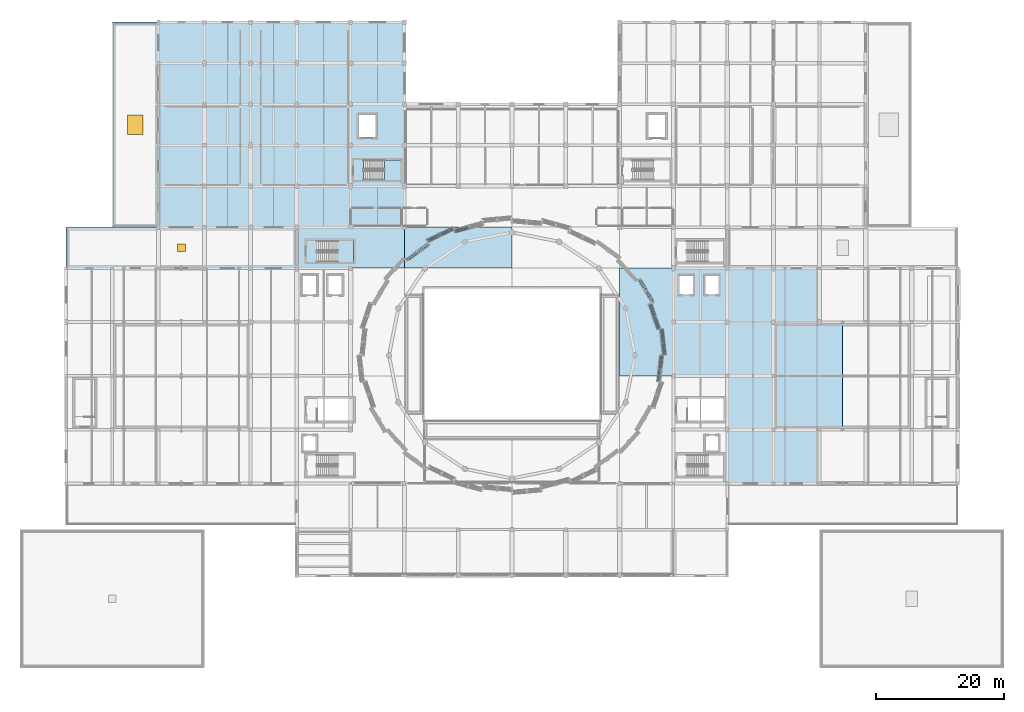
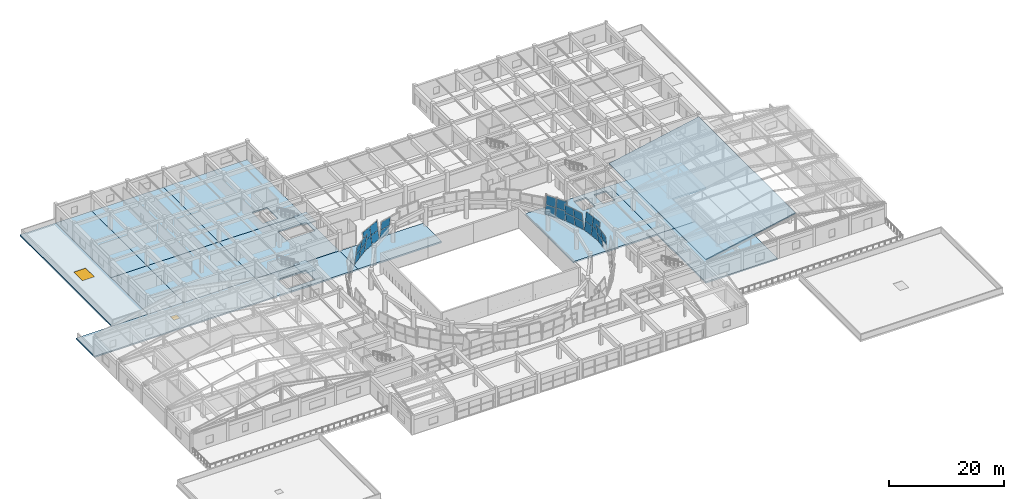
# One storey, part 51 of 74: 25 plates, 16 slabs, 2 windows, 2 openings, 9 elements without a shape of their own.
"""IFC4 building model written with IfcOpenShell, lengths in metres."""

from ifc_helpers import new_model, si_unit, direction, frame, origin, origin_2d, place, context, subcontext, project, spatial, polyline, rectangle, outline, extrude, material, layer, layer_set, type_object, element, fill, aggregate, save


model = new_model("IFC4")

# Units and contexts
model_context = context("Model", 3, precision=1e-05, world=origin(), true_north=direction((0.0, 1.0)))
body_context = subcontext(model_context, "Body", "Model", "MODEL_VIEW")
ifc_project = project(units=[si_unit("LENGTHUNIT", "METRE"), si_unit("AREAUNIT", "SQUARE_METRE"), si_unit("VOLUMEUNIT", "CUBIC_METRE"), si_unit("PLANEANGLEUNIT", "RADIAN"), si_unit("MASSUNIT", "GRAM", prefix="KILO")], contexts=[model_context])

# Site, building, storey
site_placement = place(None, origin())
site = spatial("IfcSite", under=ifc_project, at=site_placement, CompositionType="ELEMENT")
building_placement = place(site_placement, origin())
building = spatial("IfcBuilding", under=site, at=building_placement, Name="Korsvaeld Concert Hall", CompositionType="ELEMENT")
storey_placement = place(building_placement, frame((0.0, 0.0, 9.0)))
storey = spatial("IfcBuildingStorey", under=building, at=storey_placement, Name="L02", CompositionType="ELEMENT", Elevation=9.0)

# Curtain wall, plates
ifc_material_1 = material(Name="Anodised bronze and ceramic-fritted safety glass", Category="glass")
curtain_wall_type_1 = type_object("IfcCurtainWallType", Name="CW-TYPE-01", PredefinedType="USERDEFINED", material=ifc_material_1)
curtain_wall_1_placement = place(storey_placement, origin())
curtain_wall_1 = element("IfcCurtainWall", 1, at=curtain_wall_1_placement, inside=storey, type_object=curtain_wall_type_1, Name="Crystal curtain-wall facet L02 F01", ObjectType="CURTAIN WALL", PredefinedType="USERDEFINED")
ifc_material_2 = material(Name="Translucent ceramic-fritted crystal safety glass", Category="glass")
ifc_layer_1 = layer(ifc_material_2, 0.035888671875)
ifc_layer_set_1 = layer_set([ifc_layer_1], Name="Translucent ceramic-fritted crystal safety glass")
plate_type = type_object("IfcPlateType", Name="CWP-CRYSTAL-36", PredefinedType="CURTAIN_PANEL", material=ifc_layer_set_1)
plate_1_placement = place(storey_placement, frame((107.5986328125, 63.275146484375, 0.06005859375), z_axis=(0.98764771844, 0.108355260173, -0.113186226426), x_axis=(-0.10905607732, 0.99403559896, 0.0)))
plate_1 = element("IfcPlate", 2, at=plate_1_placement, type_object=plate_type, Name="CW-CRYS-L02-F01 ceramic-fritted crystal panel 1.1", PredefinedType="CURTAIN_PANEL", context=body_context, shape_type="SweptSolid", body=[
    extrude(outline(polyline([(0.0, 0.0), (1.9677913844802313, 0.0), (1.9633378881486825, 1.8618179468854357), (-0.004453496331548845, 1.8618179468854357), (0.0, 0.0)])), frame((0.0, 0.0, 0.01806640625)), (0.0, 0.0, -1.0), 0.035888671875),
])
plate_2_placement = place(storey_placement, frame((107.8154296875, 63.29443359375, 1.969970703125), z_axis=(0.98764938802, 0.108355443344, -0.113171481577), x_axis=(-0.10905607732, 0.99403559896, 0.0)))
plate_2 = element("IfcPlate", 3, at=plate_2_placement, type_object=plate_type, Name="CW-CRYS-L02-F01 ceramic-fritted crystal panel 1.2", PredefinedType="CURTAIN_PANEL", context=body_context, shape_type="SweptSolid", body=[
    extrude(outline(polyline([(0.0, 0.0), (1.9677913844802313, -3.469446951953614e-18), (1.9633378881486825, 1.8620605188167947), (-0.004453496331548846, 1.8620605188167947), (0.0, 0.0)])), frame((0.0, 0.0, 0.01806640625)), (0.0, 0.0, -1.0), 0.035888671875),
])
plate_3_placement = place(storey_placement, frame((107.3759765625, 65.305908203125, 0.06005859375), z_axis=(0.98764771844, 0.108355260173, -0.113186226426), x_axis=(-0.10905607732, 0.99403559896, 0.0)))
plate_3 = element("IfcPlate", 4, at=plate_3_placement, type_object=plate_type, Name="CW-CRYS-L02-F01 ceramic-fritted crystal panel 2.1", PredefinedType="CURTAIN_PANEL", context=body_context, shape_type="SweptSolid", body=[
    extrude(outline(polyline([(0.0, 0.0), (1.9677913844802313, 0.0), (1.9633378881486825, 1.8618179468854357), (-0.004453496331548845, 1.8618179468854357), (0.0, 0.0)])), frame((0.0, 0.0, 0.01806640625)), (0.0, 0.0, -1.0), 0.035888671875),
])
plate_4_placement = place(storey_placement, frame((107.5927734375, 65.324951171875, 1.969970703125), z_axis=(0.987650850226, 0.108342081287, -0.113171513509), x_axis=(-0.109042629262, 0.99403707426, 0.0)))
plate_4 = element("IfcPlate", 5, at=plate_4_placement, type_object=plate_type, Name="CW-CRYS-L02-F01 ceramic-fritted crystal panel 2.2", PredefinedType="CURTAIN_PANEL", context=body_context, shape_type="SweptSolid", body=[
    extrude(outline(polyline([(0.0, 0.0), (1.9680340691327352, 3.469446951953614e-18), (1.9635834237417775, 1.8620605256332161), (-0.004450645390957637, 1.8620605256332161), (0.0, 0.0)])), frame((0.0, 0.0, 0.01806640625)), (0.0, 0.0, -1.0), 0.035888671875),
])
aggregate(curtain_wall_1, [plate_1, plate_2, plate_3, plate_4])

curtain_wall_type_2 = type_object("IfcCurtainWallType", Name="CW-TYPE-02", PredefinedType="USERDEFINED", material=ifc_material_1)
curtain_wall_2_placement = place(storey_placement, origin())
curtain_wall_2 = element("IfcCurtainWall", 6, at=curtain_wall_2_placement, inside=storey, type_object=curtain_wall_type_2, Name="Crystal curtain-wall facet L02 F02", ObjectType="CURTAIN WALL", PredefinedType="USERDEFINED")
plate_5_placement = place(storey_placement, frame((107.115966796875, 67.4052734375, 0.06005859375), z_axis=(0.941364517816, 0.317899823544, 0.11301569266), x_axis=(-0.319949676143, 0.947434538497, 0.0)))
plate_5 = element("IfcPlate", 7, at=plate_5_placement, type_object=plate_type, Name="CW-CRYS-L02-F02 ceramic-fritted crystal panel 1.1", PredefinedType="CURTAIN_PANEL", context=body_context, shape_type="SweptSolid", body=[
    extrude(outline(polyline([(0.0, 0.0), (1.9862437572585203, -1.3877787807814457e-17), (1.9988048998337165, 1.8617815720611695), (0.012561142575196048, 1.8617815720611695), (0.0, 0.0)])), frame((0.0, 0.0, 0.01806640625)), (0.0, 0.0, -1.0), 0.035888671875),
])
plate_6_placement = place(storey_placement, frame((106.906005859375, 67.347900390625, 1.969970703125), z_axis=(0.941378575992, 0.317863332898, 0.113001231244), x_axis=(-0.319912420616, 0.947447118912, 0.0)))
plate_6 = element("IfcPlate", 8, at=plate_6_placement, type_object=plate_type, Name="CW-CRYS-L02-F02 ceramic-fritted crystal panel 1.2", PredefinedType="CURTAIN_PANEL", context=body_context, shape_type="SweptSolid", body=[
    extrude(outline(polyline([(0.0, 0.0), (1.9864750660546802, -1.3877787807814457e-17), (1.9990279347998081, 1.862024204527748), (0.012552868745127732, 1.862024204527748), (0.0, 0.0)])), frame((0.0, 0.0, 0.01806640625)), (0.0, 0.0, -1.0), 0.035888671875),
])
plate_7_placement = place(storey_placement, frame((106.45654296875, 69.358154296875, 0.06005859375), z_axis=(0.941364517816, 0.317899823544, 0.11301569266), x_axis=(-0.319949676143, 0.947434538497, 0.0)))
plate_7 = element("IfcPlate", 9, at=plate_7_placement, type_object=plate_type, Name="CW-CRYS-L02-F02 ceramic-fritted crystal panel 2.1", PredefinedType="CURTAIN_PANEL", context=body_context, shape_type="SweptSolid", body=[
    extrude(outline(polyline([(0.0, 0.0), (1.9862437572585203, -1.3877787807814457e-17), (1.9988048998337165, 1.8617815720611695), (0.012561142575196048, 1.8617815720611695), (0.0, 0.0)])), frame((0.0, 0.0, 0.01806640625)), (0.0, 0.0, -1.0), 0.035888671875),
])
plate_8_placement = place(storey_placement, frame((106.24658203125, 69.301025390625, 1.969970703125), z_axis=(0.941366104364, 0.317900359323, 0.113000969451), x_axis=(-0.319949676143, 0.947434538497, 0.0)))
plate_8 = element("IfcPlate", 10, at=plate_8_placement, type_object=plate_type, Name="CW-CRYS-L02-F02 ceramic-fritted crystal panel 2.2", PredefinedType="CURTAIN_PANEL", context=body_context, shape_type="SweptSolid", body=[
    extrude(outline(polyline([(0.0, 0.0), (1.9862437572585203, 0.0), (1.9988048998337165, 1.8620241487311948), (0.012561142575196048, 1.8620241487311948), (0.0, 0.0)])), frame((0.0, 0.0, 0.01806640625)), (0.0, 0.0, -1.0), 0.035888671875),
])
aggregate(curtain_wall_2, [plate_5, plate_6, plate_7, plate_8])

curtain_wall_type_3 = type_object("IfcCurtainWallType", Name="CW-TYPE-03", PredefinedType="USERDEFINED", material=ifc_material_1)
curtain_wall_3_placement = place(storey_placement, origin())
curtain_wall_3 = element("IfcCurtainWall", 11, at=curtain_wall_3_placement, inside=storey, type_object=curtain_wall_type_3, Name="Crystal curtain-wall facet L02 F03", ObjectType="CURTAIN WALL", PredefinedType="USERDEFINED")
plate_9_placement = place(storey_placement, frame((105.771484375, 71.38037109375, 0.06005859375), z_axis=(0.853892161526, 0.508096158557, -0.112722979661), x_axis=(-0.511355642616, 0.859369191182, -3.461232e-06)))
plate_9 = element("IfcPlate", 12, at=plate_9_placement, type_object=plate_type, Name="CW-CRYS-L02-F03 ceramic-fritted crystal panel 1.1", PredefinedType="CURTAIN_PANEL", context=body_context, shape_type="SweptSolid", body=[
    extrude(outline(polyline([(0.0, 0.0), (2.019936687795968, -1.3877787807814457e-17), (2.0012704675309365, 1.8617262405480326), (-0.018876027196472505, 1.8617121671868948), (0.0, 0.0)])), frame((0.0, 0.0, 0.01806640625)), (0.0, 0.0, -1.0), 0.035888671875),
])
plate_10_placement = place(storey_placement, frame((105.967529296875, 71.474609375, 1.969970703125), z_axis=(0.85388274351, 0.508090554503, -0.112819540684), x_axis=(-0.511355643194, 0.859369190838, -3.464158e-06)))
plate_10 = element("IfcPlate", 13, at=plate_10_placement, type_object=plate_type, Name="CW-CRYS-L02-F03 ceramic-fritted crystal panel 1.2", PredefinedType="CURTAIN_PANEL", context=body_context, shape_type="SweptSolid", body=[
    extrude(outline(polyline([(0.0, 0.0), (2.019936687795989, -1.3877787807814457e-17), (2.001145618443532, 1.861992489528423), (-0.019000876283814222, 1.8619784041117295), (0.0, 0.0)])), frame((0.0, 0.0, 0.01806640625)), (0.0, 0.0, -1.0), 0.035888671875),
])
plate_11_placement = place(storey_placement, frame((104.7001953125, 73.1806640625, 0.06005859375), z_axis=(0.853873261787, 0.508120642844, -0.112755776441), x_axis=(-0.511381861684, 0.859353589357, 0.0)))
plate_11 = element("IfcPlate", 14, at=plate_11_placement, type_object=plate_type, Name="CW-CRYS-L02-F03 ceramic-fritted crystal panel 2.1", PredefinedType="CURTAIN_PANEL", context=body_context, shape_type="SweptSolid", body=[
    extrude(outline(polyline([(0.0, 0.0), (2.0199366887482033, -1.3877787807814457e-17), (2.001270466587501, 1.8617262415621827), (-0.018666222160702132, 1.8617262415621827), (0.0, 0.0)])), frame((0.0, 0.0, 0.01806640625)), (0.0, 0.0, -1.0), 0.035888671875),
])
plate_12_placement = place(storey_placement, frame((104.896240234375, 73.27490234375, 1.969970703125), z_axis=(0.853863841898, 0.508115037281, -0.112852330006), x_axis=(-0.511381861684, 0.859353589357, 0.0)))
plate_12 = element("IfcPlate", 15, at=plate_12_placement, type_object=plate_type, Name="CW-CRYS-L02-F03 ceramic-fritted crystal panel 2.2", PredefinedType="CURTAIN_PANEL", context=body_context, shape_type="SweptSolid", body=[
    extrude(outline(polyline([(0.0, 0.0), (2.0199366887482033, -1.3877787807814457e-17), (2.001145617500176, 1.8619924905422793), (-0.01879107124802723, 1.8619924905422793), (0.0, 0.0)])), frame((0.0, 0.0, 0.01806640625)), (0.0, 0.0, -1.0), 0.035888671875),
])
aggregate(curtain_wall_3, [plate_9, plate_10, plate_11, plate_12])

curtain_wall_4_placement = place(storey_placement, origin())
curtain_wall_4 = element("IfcCurtainWall", 16, at=curtain_wall_4_placement, inside=storey, type_object=curtain_wall_type_2, Name="Crystal curtain-wall facet L02 F10", ObjectType="CURTAIN WALL", PredefinedType="USERDEFINED")
plate_13_placement = place(storey_placement, frame((77.148193359375, 83.373046875, 0.06005859375), z_axis=(-0.261163257484, 0.95865482659, 0.113025114009), x_axis=(-0.964837328331, -0.262847731312, 1.651587e-06)))
plate_13 = element("IfcPlate", 17, at=plate_13_placement, type_object=plate_type, Name="CW-CRYS-L02-F10 ceramic-fritted crystal panel 2.1", PredefinedType="CURTAIN_PANEL", context=body_context, shape_type="SweptSolid", body=[
    extrude(outline(polyline([(0.0, 0.0), (2.1817033119443425, -1.3877787807814457e-17), (2.1691854544410942, 1.8617799744460803), (-0.012753413491610325, 1.8617872278587024), (0.0, 0.0)])), frame((0.0, 0.0, 0.01806640625)), (0.0, 0.0, -1.0), 0.035888671875),
])
plate_14_placement = place(storey_placement, frame((77.218017578125, 83.1669921875, 1.969970703125), z_axis=(-0.261267170979, 0.958628162452, 0.113011112386), x_axis=(-0.964809044512, -0.262951530942, -1.651812e-06)))
plate_14 = element("IfcPlate", 18, at=plate_14_placement, type_object=plate_type, Name="CW-CRYS-L02-F10 ceramic-fritted crystal panel 2.2", PredefinedType="CURTAIN_PANEL", context=body_context, shape_type="SweptSolid", body=[
    extrude(outline(polyline([(0.0, 0.0), (2.182003048960531, -1.3877787807814457e-17), (2.1692661665257678, 1.86202991694282), (-0.012501333351630253, 1.8620226623379514), (0.0, 0.0)])), frame((0.0, 0.0, 0.01806640625)), (0.0, 0.0, -1.0), 0.035888671875),
])
aggregate(curtain_wall_4, [plate_13, plate_14])

curtain_wall_5_placement = place(storey_placement, origin())
curtain_wall_5 = element("IfcCurtainWall", 19, at=curtain_wall_5_placement, inside=storey, type_object=curtain_wall_type_3, Name="Crystal curtain-wall facet L02 F11", ObjectType="CURTAIN WALL", PredefinedType="USERDEFINED")
plate_15_placement = place(storey_placement, frame((74.897705078125, 82.759521484375, 0.06005859375), z_axis=(-0.429998436231, 0.895754874635, -0.112803144489), x_axis=(-0.901508884705, -0.432760592935, 0.0)))
plate_15 = element("IfcPlate", 20, at=plate_15_placement, type_object=plate_type, Name="CW-CRYS-L02-F11 ceramic-fritted crystal panel 1.1", PredefinedType="CURTAIN_PANEL", context=body_context, shape_type="SweptSolid", body=[
    extrude(outline(polyline([(0.0, 0.0), (2.1505286703400395, 0.0), (2.169415039256542, 1.8617363153269957), (0.01888636891650229, 1.8617363153269957), (0.0, 0.0)])), frame((0.0, 0.0, 0.01806640625)), (0.0, 0.0, -1.0), 0.035888671875),
])
plate_16_placement = place(storey_placement, frame((74.786376953125, 82.946533203125, 1.969970703125), z_axis=(-0.429999158214, 0.895756378641, -0.112788448256), x_axis=(-0.901508884705, -0.432760592935, 0.0)))
plate_16 = element("IfcPlate", 21, at=plate_16_placement, type_object=plate_type, Name="CW-CRYS-L02-F11 ceramic-fritted crystal panel 1.2", PredefinedType="CURTAIN_PANEL", context=body_context, shape_type="SweptSolid", body=[
    extrude(outline(polyline([(0.0, 0.0), (2.1505286703400395, 0.0), (2.169415039256542, 1.8619788978930212), (0.018886368916502288, 1.8619788978930212), (0.0, 0.0)])), frame((0.0, 0.0, 0.01806640625)), (0.0, 0.0, -1.0), 0.035888671875),
])
plate_17_placement = place(storey_placement, frame((72.891357421875, 81.79638671875, 0.06005859375), z_axis=(-0.430090054787, 0.895710759262, -0.112804168878), x_axis=(-0.901464591462, -0.432852850679, 0.0)))
plate_17 = element("IfcPlate", 22, at=plate_17_placement, type_object=plate_type, Name="CW-CRYS-L02-F11 ceramic-fritted crystal panel 2.1", PredefinedType="CURTAIN_PANEL", context=body_context, shape_type="SweptSolid", body=[
    extrude(outline(polyline([(0.0, 0.0), (2.150634336043882, 0.0), (2.1694992125629495, 1.8617365332323772), (0.018864876519067143, 1.8617365332323772), (0.0, 0.0)])), frame((0.0, 0.0, 0.01806640625)), (0.0, 0.0, -1.0), 0.035888671875),
])
plate_18_placement = place(storey_placement, frame((72.780029296875, 81.9833984375, 1.969970703125), z_axis=(-0.430114148991, 0.895704537127, -0.112761700096), x_axis=(-0.901454091207, -0.432874717948, 2.75289e-06)))
plate_18 = element("IfcPlate", 23, at=plate_18_placement, type_object=plate_type, Name="CW-CRYS-L02-F11 ceramic-fritted crystal panel 2.2", PredefinedType="CURTAIN_PANEL", context=body_context, shape_type="SweptSolid", body=[
    extrude(outline(polyline([(0.0, 0.0), (2.150634335402981, -1.3877787807814457e-17), (2.169279129080632, 1.8619671987283917), (0.01886487524288685, 1.8619791150426859), (0.0, 0.0)])), frame((0.0, 0.0, 0.01806640625)), (0.0, 0.0, -1.0), 0.035888671875),
])
aggregate(curtain_wall_5, [plate_15, plate_16, plate_17, plate_18])

curtain_wall_type_4 = type_object("IfcCurtainWallType", Name="CW-TYPE-04", PredefinedType="USERDEFINED", material=ifc_material_1)
curtain_wall_6_placement = place(storey_placement, origin())
curtain_wall_6 = element("IfcCurtainWall", 24, at=curtain_wall_6_placement, inside=storey, type_object=curtain_wall_type_4, Name="Crystal curtain-wall facet L02 F12", ObjectType="CURTAIN WALL", PredefinedType="USERDEFINED")
plate_19_placement = place(storey_placement, frame((70.832763671875, 80.777587890625, 0.06005859375), z_axis=(-0.589635288968, 0.799792072609, 0.112529403251), x_axis=(-0.804904507896, -0.593404358906, 0.0)))
plate_19 = element("IfcPlate", 25, at=plate_19_placement, type_object=plate_type, Name="CW-CRYS-L02-F12 ceramic-fritted crystal panel 1.1", PredefinedType="CURTAIN_PANEL", context=body_context, shape_type="SweptSolid", body=[
    extrude(outline(polyline([(0.0, 0.0), (2.1089579558479716, 0.0), (2.0868740088332727, 1.8616781594457161), (-0.022083947014698666, 1.8616781594457161), (0.0, 0.0)])), frame((0.0, 0.0, 0.01806640625)), (0.0, 0.0, -1.0), 0.035888671875),
])
plate_20_placement = place(storey_placement, frame((70.9794921875, 80.616943359375, 1.969970703125), z_axis=(-0.589636274188, 0.79979340898, 0.112514741765), x_axis=(-0.804904507896, -0.593404358906, 0.0)))
plate_20 = element("IfcPlate", 26, at=plate_20_placement, type_object=plate_type, Name="CW-CRYS-L02-F12 ceramic-fritted crystal panel 1.2", PredefinedType="CURTAIN_PANEL", context=body_context, shape_type="SweptSolid", body=[
    extrude(outline(polyline([(0.0, 0.0), (2.1089579558479716, -1.3877787807814457e-17), (2.0868740088332727, 1.86192074958865), (-0.022083947014698666, 1.86192074958865), (0.0, 0.0)])), frame((0.0, 0.0, 0.01806640625)), (0.0, 0.0, -1.0), 0.035888671875),
])
plate_21_placement = place(storey_placement, frame((69.074951171875, 79.481689453125, 0.06005859375), z_axis=(-0.589598255298, 0.799799350022, 0.112671633763), x_axis=(-0.804925147013, -0.593376362599, -3.844788e-06)))
plate_21 = element("IfcPlate", 27, at=plate_21_placement, type_object=plate_type, Name="CW-CRYS-L02-F12 ceramic-fritted crystal panel 2.1", PredefinedType="CURTAIN_PANEL", context=body_context, shape_type="SweptSolid", body=[
    extrude(outline(polyline([(0.0, 0.0), (2.1091544694851807, -1.3877787807814457e-17), (2.0870044759958684, 1.8617164332987393), (-0.021953478560842, 1.8617001116168175), (0.0, 0.0)])), frame((0.0, 0.0, 0.01806640625)), (0.0, 0.0, -1.0), 0.035888671875),
])
plate_22_placement = place(storey_placement, frame((69.2216796875, 79.321044921875, 1.969970703125), z_axis=(-0.589629269114, 0.799783907169, 0.112618945289), x_axis=(-0.804904507896, -0.593404358906, 0.0)))
plate_22 = element("IfcPlate", 28, at=plate_22_placement, type_object=plate_type, Name="CW-CRYS-L02-F12 ceramic-fritted crystal panel 2.2", PredefinedType="CURTAIN_PANEL", context=body_context, shape_type="SweptSolid", body=[
    extrude(outline(polyline([(0.0, 0.0), (2.1089579558479716, -1.3877787807814457e-17), (2.087018882944334, 1.8619428700867071), (-0.0219390729036376, 1.8619428700867073), (0.0, 0.0)])), frame((0.0, 0.0, 0.01806640625)), (0.0, 0.0, -1.0), 0.035888671875),
])
aggregate(curtain_wall_6, [plate_19, plate_20, plate_21, plate_22])

curtain_wall_type_5 = type_object("IfcCurtainWallType", Name="CW-TYPE-08", PredefinedType="USERDEFINED", material=ifc_material_1)
curtain_wall_7_placement = place(storey_placement, origin())
curtain_wall_7 = element("IfcCurtainWall", 29, at=curtain_wall_7_placement, inside=storey, type_object=curtain_wall_type_5, Name="Crystal curtain-wall facet L02 F32", ObjectType="CURTAIN WALL", PredefinedType="USERDEFINED")
plate_23_placement = place(storey_placement, frame((106.93115234375, 59.158447265625, 1.969970703125), z_axis=(0.987662711113, -0.108233632097, 0.113171771918), x_axis=(0.108933482058, 0.994049041289, 0.0)))
plate_23 = element("IfcPlate", 30, at=plate_23_placement, type_object=plate_type, Name="CW-CRYS-L02-F32 ceramic-fritted crystal panel 1.2", PredefinedType="CURTAIN_PANEL", context=body_context, shape_type="SweptSolid", body=[
    extrude(outline(polyline([(0.0, 0.0), (1.967764774426495, 0.0), (1.9633372677291723, 1.8620605807949135), (-0.004427506697322853, 1.8620605807949135), (0.0, 0.0)])), frame((0.0, 0.0, 0.01806640625)), (0.0, 0.0, -1.0), 0.035888671875),
])
plate_24_placement = place(storey_placement, frame((107.37060546875, 61.169921875, 0.06005859375), z_axis=(0.987661041503, -0.108233449131, 0.113186516804), x_axis=(0.108933482058, 0.994049041289, 0.0)))
plate_24 = element("IfcPlate", 31, at=plate_24_placement, type_object=plate_type, Name="CW-CRYS-L02-F32 ceramic-fritted crystal panel 2.1", PredefinedType="CURTAIN_PANEL", context=body_context, shape_type="SweptSolid", body=[
    extrude(outline(polyline([(0.0, 0.0), (1.967764774426495, 3.469446951953614e-18), (1.9633372677291723, 1.8618180088716296), (-0.004427506697322853, 1.8618180088716296), (0.0, 0.0)])), frame((0.0, 0.0, 0.01806640625)), (0.0, 0.0, -1.0), 0.035888671875),
])
plate_25_placement = place(storey_placement, frame((107.15380859375, 61.189208984375, 1.969970703125), z_axis=(0.987662711113, -0.108233632097, 0.113171771918), x_axis=(0.108933482058, 0.994049041289, 0.0)))
plate_25 = element("IfcPlate", 32, at=plate_25_placement, type_object=plate_type, Name="CW-CRYS-L02-F32 ceramic-fritted crystal panel 2.2", PredefinedType="CURTAIN_PANEL", context=body_context, shape_type="SweptSolid", body=[
    extrude(outline(polyline([(0.0, 0.0), (1.967764774426495, 0.0), (1.9633372677291723, 1.8620605807949135), (-0.004427506697322853, 1.8620605807949135), (0.0, 0.0)])), frame((0.0, 0.0, 0.01806640625)), (0.0, 0.0, -1.0), 0.035888671875),
])
aggregate(curtain_wall_7, [plate_23, plate_24, plate_25])

# Slab, opening, window
ifc_material_3 = material(Name="Concrete C35/45", Category="concrete")
ifc_layer_2 = layer(ifc_material_3, 0.300048828125)
ifc_layer_set_2 = layer_set([ifc_layer_2], Name="Concrete C35/45")
slab_type_1 = type_object("IfcSlabType", Name="SLB-FLATROOF-300", PredefinedType="ROOF", material=ifc_layer_set_2)
slab_1_placement = place(storey_placement, frame((0.0, 0.0, -0.300048828125)))
slab_1 = element("IfcSlab", 33, at=slab_1_placement, inside=storey, type_object=slab_type_1, Name="Flat acoustic roof ROOF_L02_NW", PredefinedType="ROOF", context=body_context, shape_type="SweptSolid", body=[
    extrude(outline(polyline([(21.60009765625, 83.199951171875), (21.60009765625, 115.199951171875), (28.800048828125, 115.199951171875), (28.800048828125, 83.199951171875), (21.60009765625, 83.199951171875)])), origin(), (0.0, 0.0, 1.0), 0.300048828125),
])
opening_1_placement = place(slab_1_placement, frame((25.199951171875, 99.199951171875, -0.010009765625)))
opening_1 = element("IfcOpeningElement", 34, at=opening_1_placement, cuts=slab_1, Name="Opening SK-03", PredefinedType="OPENING", context=body_context, shape_type="SweptSolid", body=[
    extrude(rectangle(XDim=2.39990234375, YDim=3.0, at=origin_2d()), origin(), (0.0, 0.0, 1.0), 0.320068359375),
])
ifc_material_4 = material(Name="Anodised bronze frame with acoustic triple glazing", Category="glass")
window_type_1 = type_object("IfcWindowType", Name="SKY-LIGHT-240x300", PartitioningType="TRIPLE_PANEL_VERTICAL", PredefinedType="SKYLIGHT", material=ifc_material_4)
window_1_placement = place(slab_1_placement, frame((25.199951171875, 99.199951171875, 0.25)))
window_1 = element("IfcWindow", 35, at=window_1_placement, inside=storey, type_object=window_type_1, Name="Acoustic skylight / roof hatch SLB-ROOF_L02_NW", OverallHeight=3.0, OverallWidth=2.39990234375, PartitioningType="SINGLE_PANEL", PredefinedType="SKYLIGHT", context=body_context, shape_type="SweptSolid", body=[
    extrude(rectangle(XDim=2.39990234375, YDim=3.0, at=origin_2d()), origin(), (0.0, 0.0, 1.0), 0.050048828125),
])
fill(opening_1, window_1)

slab_2_placement = place(storey_placement, frame((0.0, 0.0, -0.300048828125)))
slab_2 = element("IfcSlab", 36, at=slab_2_placement, inside=storey, type_object=slab_type_1, Name="Flat acoustic roof ROOF_L02_V3N", PredefinedType="ROOF", context=body_context, shape_type="SweptSolid", body=[
    extrude(outline(polyline([(14.39990234375, 76.800048828125), (14.39990234375, 83.199951171875), (50.39990234375, 83.199951171875), (50.39990234375, 76.800048828125), (14.39990234375, 76.800048828125)])), origin(), (0.0, 0.0, 1.0), 0.300048828125),
])
opening_2_placement = place(slab_2_placement, frame((32.39990234375, 80.0, -0.010009765625)))
opening_2 = element("IfcOpeningElement", 37, at=opening_2_placement, cuts=slab_2, Name="Opening SK-01", PredefinedType="OPENING", context=body_context, shape_type="SweptSolid", body=[
    extrude(rectangle(XDim=1.199951171875, YDim=1.199951171875, at=origin_2d()), origin(), (0.0, 0.0, 1.0), 0.320068359375),
])
window_type_2 = type_object("IfcWindowType", Name="SKY-HATCH-120x120", PartitioningType="SINGLE_PANEL", PredefinedType="SKYLIGHT", material=ifc_material_4)
window_2_placement = place(slab_2_placement, frame((32.39990234375, 80.0, 0.25)))
window_2 = element("IfcWindow", 38, at=window_2_placement, inside=storey, type_object=window_type_2, Name="Acoustic skylight / roof hatch SLB-ROOF_L02_V3N", OverallHeight=1.199951171875, OverallWidth=1.199951171875, PartitioningType="SINGLE_PANEL", PredefinedType="SKYLIGHT", context=body_context, shape_type="SweptSolid", body=[
    extrude(rectangle(XDim=1.199951171875, YDim=1.199951171875, at=origin_2d()), origin(), (0.0, 0.0, 1.0), 0.050048828125),
])
fill(opening_2, window_2)

# Slabs
ifc_layer_3 = layer(ifc_material_3, 0.320068359375)
ifc_layer_set_3 = layer_set([ifc_layer_3], Name="Concrete C35/45")
slab_type_2 = type_object("IfcSlabType", Name="SLB-HALL-320", PredefinedType="FLOOR", material=ifc_layer_set_3)
slab_3_placement = place(storey_placement, frame((0.0, 0.0, -0.320068359375)))
element("IfcSlab", 39, at=slab_3_placement, inside=storey, type_object=slab_type_2, Name="Structural slab L02 V1_L02 1.3", PredefinedType="FLOOR", context=body_context, shape_type="SweptSolid", body=[
    extrude(outline(polyline([(50.39990234375, 76.800048828125), (50.39990234375, 83.199951171875), (67.199951171875, 83.199951171875), (67.199951171875, 76.800048828125), (50.39990234375, 76.800048828125)]), holes=[polyline([(53.544921875, 77.794921875), (59.205078125, 77.794921875), (59.205078125, 81.044921875), (53.544921875, 81.044921875), (53.544921875, 77.794921875)])]), origin(), (0.0, 0.0, 1.0), 0.320068359375),
])
slab_4_placement = place(storey_placement, frame((0.0, 0.0, -0.320068359375)))
element("IfcSlab", 40, at=slab_4_placement, inside=storey, type_object=slab_type_2, Name="Structural slab L02 V1_L02 2.3", PredefinedType="FLOOR", context=body_context, shape_type="SweptSolid", body=[
    extrude(outline(polyline([(67.199951171875, 76.800048828125), (67.199951171875, 83.199951171875), (84.0, 83.199951171875), (84.0, 76.800048828125), (67.199951171875, 76.800048828125)])), origin(), (0.0, 0.0, 1.0), 0.320068359375),
])
slab_5_placement = place(storey_placement, frame((0.0, 0.0, -0.320068359375)))
element("IfcSlab", 41, at=slab_5_placement, inside=storey, type_object=slab_type_2, Name="Structural slab L02 V1_L02 4.2", PredefinedType="FLOOR", context=body_context, shape_type="SweptSolid", body=[
    extrude(outline(polyline([(100.800048828125, 60.0), (100.800048828125, 76.800048828125), (117.60009765625, 76.800048828125), (117.60009765625, 60.0), (100.800048828125, 60.0)]), holes=[polyline([(112.39990234375, 72.60009765625), (112.39990234375, 75.800048828125), (110.0, 75.800048828125), (110.0, 72.60009765625), (112.39990234375, 72.60009765625)]), polyline([(116.39990234375, 72.60009765625), (116.39990234375, 75.800048828125), (114.0, 75.800048828125), (114.0, 72.60009765625), (116.39990234375, 72.60009765625)])]), origin(), (0.0, 0.0, 1.0), 0.320068359375),
])
slab_6_placement = place(storey_placement, frame((0.0, 0.0, -0.320068359375)))
element("IfcSlab", 42, at=slab_6_placement, inside=storey, type_object=slab_type_2, Name="Structural slab L02 V2_L02 1.1", PredefinedType="FLOOR", context=body_context, shape_type="SweptSolid", body=[
    extrude(outline(polyline([(132.0, 43.199951171875), (117.60009765625, 43.199951171875), (117.60009765625, 60.0), (125.199951171875, 60.0), (125.199951171875, 52.0), (132.0, 52.0), (132.0, 43.199951171875)])), origin(), (0.0, 0.0, 1.0), 0.320068359375),
])
slab_7_placement = place(storey_placement, frame((0.0, 0.0, -0.320068359375)))
element("IfcSlab", 43, at=slab_7_placement, inside=storey, type_object=slab_type_2, Name="Structural slab L02 V2_L02 1.2", PredefinedType="FLOOR", context=body_context, shape_type="SweptSolid", body=[
    extrude(outline(polyline([(117.60009765625, 60.0), (117.60009765625, 76.800048828125), (132.0, 76.800048828125), (132.0, 68.0), (125.199951171875, 68.0), (125.199951171875, 60.0), (117.60009765625, 60.0)])), origin(), (0.0, 0.0, 1.0), 0.320068359375),
])

# Stair, slab
ifc_material_5 = material(Name="Precast concrete C40/50", Category="concrete")
stair_type_1 = type_object("IfcStairType", Name="STR-HT-155-42", PredefinedType="HALF_TURN_STAIR", material=ifc_material_5)
stair_1_placement = place(storey_placement, origin())
stair_1 = element("IfcStair", 44, at=stair_1_placement, inside=storey, type_object=stair_type_1, Name="L02 ST-K1", PredefinedType="HALF_TURN_STAIR")
ifc_layer_4 = layer(ifc_material_5, 0.179931640625)
ifc_layer_set_4 = layer_set([ifc_layer_4], Name="Precast concrete C40/50")
slab_type_3 = type_object("IfcSlabType", Name="SLB-LANDING-180", PredefinedType="LANDING", material=ifc_layer_set_4)
slab_8_placement = place(storey_placement, frame((0.0, 0.0, 1.919921875)))
slab_8 = element("IfcSlab", 45, at=slab_8_placement, type_object=slab_type_3, Name="ST-K1 landing 1", PredefinedType="LANDING", context=body_context, shape_type="SweptSolid", body=[
    extrude(outline(polyline([(56.760009765625, 77.7099609375), (56.760009765625, 81.1298828125), (59.2900390625, 81.1298828125), (59.2900390625, 77.7099609375), (56.760009765625, 77.7099609375)])), origin(), (0.0, 0.0, 1.0), 0.18017578125),
])
aggregate(stair_1, [slab_8])

stair_type_2 = type_object("IfcStairType", Name="STR-HT-145-42", PredefinedType="HALF_TURN_STAIR", material=ifc_material_5)
stair_2_placement = place(storey_placement, origin())
stair_2 = element("IfcStair", 46, at=stair_2_placement, inside=storey, type_object=stair_type_2, Name="L02 ST-K5", PredefinedType="HALF_TURN_STAIR")
slab_9_placement = place(storey_placement, frame((0.0, 0.0, 1.919921875)))
slab_9 = element("IfcSlab", 47, at=slab_9_placement, type_object=slab_type_3, Name="ST-K5 landing 1", PredefinedType="LANDING", context=body_context, shape_type="SweptSolid", body=[
    extrude(outline(polyline([(64.06005859375, 90.510009765625), (64.06005859375, 93.72998046875), (66.68994140625, 93.72998046875), (66.68994140625, 90.510009765625), (64.06005859375, 90.510009765625)])), origin(), (0.0, 0.0, 1.0), 0.18017578125),
])
aggregate(stair_2, [slab_9])

# Slabs
ifc_layer_5 = layer(ifc_material_3, 0.219970703125)
ifc_layer_set_5 = layer_set([ifc_layer_5], Name="Concrete C35/45")
slab_type_4 = type_object("IfcSlabType", Name="SLB-ROOF-220", PredefinedType="ROOF", material=ifc_layer_set_5)
slab_10_placement = place(storey_placement, frame((117.60009765625, 43.199951171875, 4.800048828125), z_axis=(-0.196108462057, 0.0, 0.980582210276), x_axis=(0.980582210276, 0.0, 0.196108462057)))
element("IfcSlab", 48, at=slab_10_placement, inside=storey, type_object=slab_type_4, Name="Chamber Music Hall pitched copper roof West", PredefinedType="ROOF", context=body_context, shape_type="SweptSolid", body=[
    extrude(outline(polyline([(0.0, 0.0), (18.356441521546532, 0.0), (18.356441521546532, 33.60009765625), (0.0, 33.60009765625), (0.0, 0.0)])), origin(), (0.0, 0.0, -1.0), 0.219970703125),
])
ifc_layer_6 = layer(ifc_material_3, 0.25)
ifc_layer_set_6 = layer_set([ifc_layer_6], Name="Concrete C35/45")
slab_type_5 = type_object("IfcSlabType", Name="SLB-WING-250", PredefinedType="FLOOR", material=ifc_layer_set_6)
slab_11_placement = place(storey_placement, frame((0.0, 0.0, -0.25)))
element("IfcSlab", 49, at=slab_11_placement, inside=storey, type_object=slab_type_5, Name="Structural slab L02 V5_L02_W 1.1", PredefinedType="FLOOR", context=body_context, shape_type="SweptSolid", body=[
    extrude(outline(polyline([(28.800048828125, 83.199951171875), (28.800048828125, 96.0), (36.0, 96.0), (36.0, 83.199951171875), (28.800048828125, 83.199951171875)])), origin(), (0.0, 0.0, 1.0), 0.25),
])
slab_12_placement = place(storey_placement, frame((0.0, 0.0, -0.25)))
element("IfcSlab", 50, at=slab_12_placement, inside=storey, type_object=slab_type_5, Name="Structural slab L02 V5_L02_W 1.2", PredefinedType="FLOOR", context=body_context, shape_type="SweptSolid", body=[
    extrude(outline(polyline([(28.800048828125, 96.0), (28.800048828125, 115.199951171875), (36.0, 115.199951171875), (36.0, 96.0), (28.800048828125, 96.0)])), origin(), (0.0, 0.0, 1.0), 0.25),
])
slab_13_placement = place(storey_placement, frame((0.0, 0.0, -0.25)))
element("IfcSlab", 51, at=slab_13_placement, inside=storey, type_object=slab_type_5, Name="Structural slab L02 V5_L02_W 2.1", PredefinedType="FLOOR", context=body_context, shape_type="SweptSolid", body=[
    extrude(outline(polyline([(36.0, 83.199951171875), (36.0, 96.0), (50.39990234375, 96.0), (50.39990234375, 83.199951171875), (36.0, 83.199951171875)])), origin(), (0.0, 0.0, 1.0), 0.25),
])
slab_14_placement = place(storey_placement, frame((0.0, 0.0, -0.25)))
element("IfcSlab", 52, at=slab_14_placement, inside=storey, type_object=slab_type_5, Name="Structural slab L02 V5_L02_W 2.2", PredefinedType="FLOOR", context=body_context, shape_type="SweptSolid", body=[
    extrude(outline(polyline([(36.0, 96.0), (36.0, 115.199951171875), (50.39990234375, 115.199951171875), (50.39990234375, 96.0), (36.0, 96.0)])), origin(), (0.0, 0.0, 1.0), 0.25),
])
slab_15_placement = place(storey_placement, frame((0.0, 0.0, -0.25)))
element("IfcSlab", 53, at=slab_15_placement, inside=storey, type_object=slab_type_5, Name="Structural slab L02 V5_L02_W 3.1", PredefinedType="FLOOR", context=body_context, shape_type="SweptSolid", body=[
    extrude(outline(polyline([(50.39990234375, 83.199951171875), (50.39990234375, 96.0), (67.199951171875, 96.0), (67.199951171875, 83.199951171875), (50.39990234375, 83.199951171875)]), holes=[polyline([(60.844970703125, 90.594970703125), (66.60498046875, 90.594970703125), (66.60498046875, 93.64501953125), (60.844970703125, 93.64501953125), (60.844970703125, 90.594970703125)])]), origin(), (0.0, 0.0, 1.0), 0.25),
])
slab_16_placement = place(storey_placement, frame((0.0, 0.0, -0.25)))
element("IfcSlab", 54, at=slab_16_placement, inside=storey, type_object=slab_type_5, Name="Structural slab L02 V5_L02_W 3.2", PredefinedType="FLOOR", context=body_context, shape_type="SweptSolid", body=[
    extrude(outline(polyline([(50.39990234375, 96.0), (50.39990234375, 115.199951171875), (67.199951171875, 115.199951171875), (67.199951171875, 96.0), (50.39990234375, 96.0)]), holes=[polyline([(62.89990234375, 100.89990234375), (59.89990234375, 100.89990234375), (59.89990234375, 97.10009765625), (62.89990234375, 97.10009765625), (62.89990234375, 100.89990234375)])]), origin(), (0.0, 0.0, 1.0), 0.25),
])

save(model, "model.ifc")
